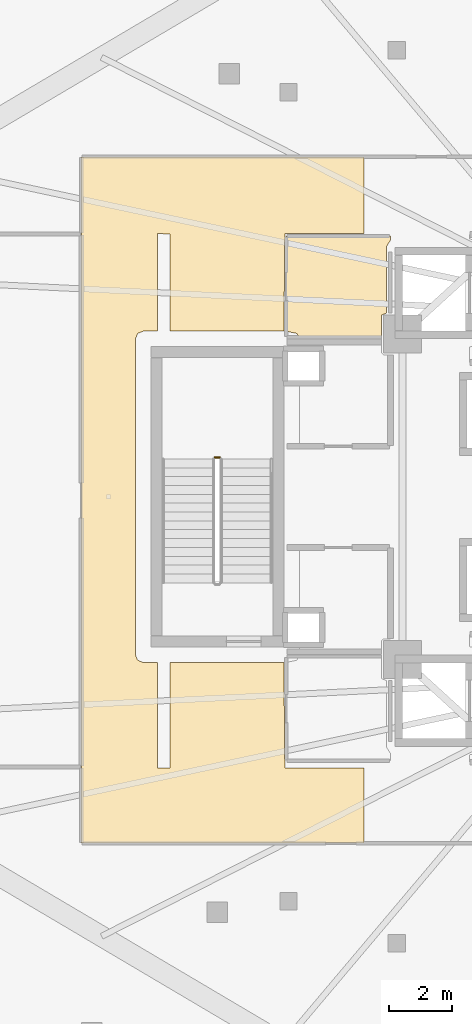
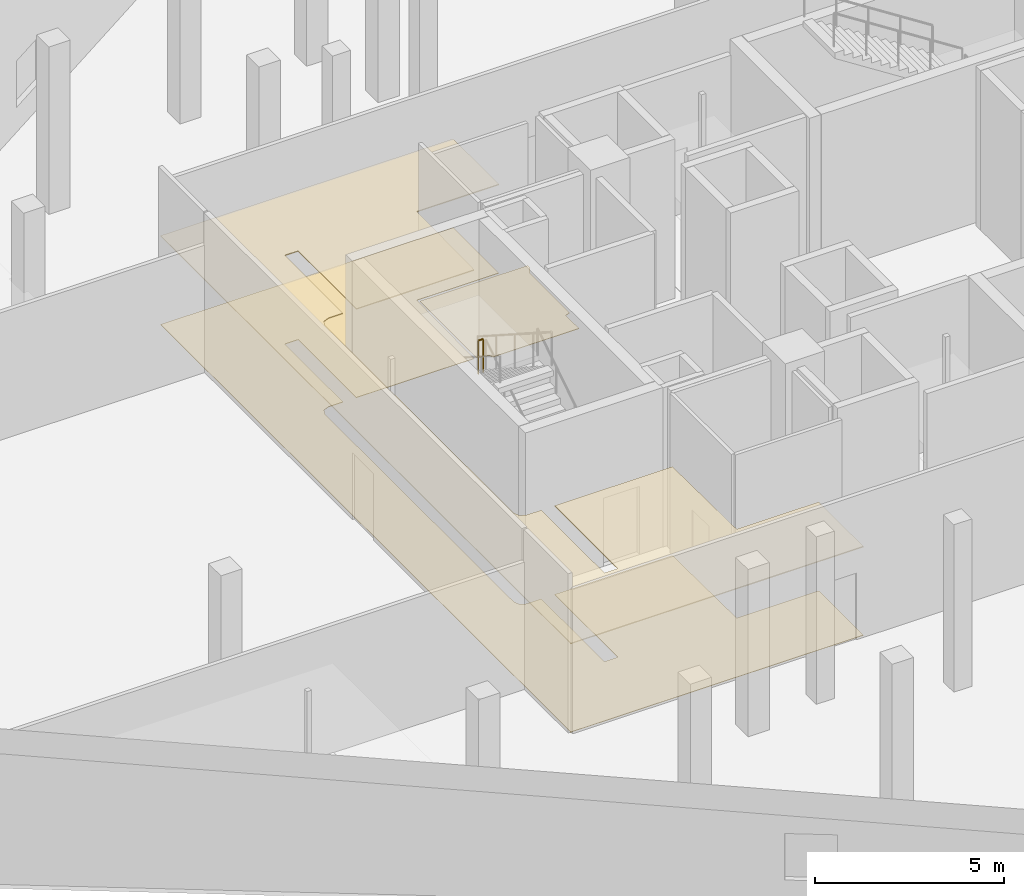
# One storey, part 42 of 47: 3 coverings, 1 railing.
"""IFC4 building model written with IfcOpenShell, lengths in metres."""

import ifcopenshell
import ifcopenshell.guid

model = None  # the IFC model being written
_history = None  # IfcOwnerHistory: only IFC2X3 demands one
_inside = {}  # id of a spatial element -> (the spatial element, [elements in it])
_under = {}  # id of a project, library or spatial element -> (it, [spatial elements below it])
_declared = {}  # id of a project -> (the project, [libraries it declares])
_typed = {}  # id of a type object -> (the type object, [elements of that type])
_made_of = {}  # id of a material, layer set ... -> (it, [elements and type objects made of it])


def new_model(schema):
    """Start an empty IFC model of exactly this schema.

    Asked for "IFC4X3", IfcOpenShell would pick the latest addendum, in which some entities
    have other attributes; the version numbers below select the first issue.
    IFC2X3 requires an IfcOwnerHistory on every rooted entity: one is made here for all.
    """
    global model, _history
    if schema == "IFC4X3":
        model = ifcopenshell.file(schema_version=(4, 3, 0, 0))
    else:
        model = ifcopenshell.file(schema=schema)
    _inside.clear()
    _under.clear()
    _declared.clear()
    _typed.clear()
    _made_of.clear()
    _history = None
    if model.schema == "IFC2X3":
        org = make("IfcOrganization", Name="unknown")
        user = make(
            "IfcPersonAndOrganization",
            ThePerson=make("IfcPerson", FamilyName="unknown"),
            TheOrganization=org,
        )
        app = make(
            "IfcApplication",
            ApplicationDeveloper=org,
            Version="unknown",
            ApplicationFullName="unknown",
            ApplicationIdentifier="unknown",
        )
        _history = make(
            "IfcOwnerHistory",
            OwningUser=user,
            OwningApplication=app,
            ChangeAction="ADDED",
            CreationDate=0,
        )
    return model


def make(cls, **values):
    """One entity of the class cls with the attributes given. An attribute that is None is left unset."""
    return model.create_entity(
        cls, **{name: value for name, value in values.items() if value is not None}
    )


def rooted(cls, **values):
    """An entity with a GlobalId (a new one), such as an element, a storey or a relation."""
    return make(cls, GlobalId=ifcopenshell.guid.new(), OwnerHistory=_history, **values)


def si_unit(unit_type, name, prefix=None):
    """IfcSIUnit, for example si_unit("LENGTHUNIT", "METRE", prefix="MILLI")."""
    return make("IfcSIUnit", UnitType=unit_type, Prefix=prefix, Name=name)


def assignment(units):
    """IfcUnitAssignment: the units of a project."""
    return None if units is None else make("IfcUnitAssignment", Units=units)


def point(xyz):
    """IfcCartesianPoint."""
    return None if xyz is None else make("IfcCartesianPoint", Coordinates=xyz)


def direction(xyz):
    """IfcDirection."""
    return None if xyz is None else make("IfcDirection", DirectionRatios=xyz)


def frame(location, z_axis=None, x_axis=None):
    """IfcAxis2Placement3D, a coordinate frame: its origin and axes. An axis left out is left unset."""
    return make(
        "IfcAxis2Placement3D",
        Location=point(location),
        Axis=direction(z_axis),
        RefDirection=direction(x_axis),
    )


def frame_2d(location, x_axis=None):
    """IfcAxis2Placement2D, a coordinate frame in the plane: its origin and x axis."""
    return make(
        "IfcAxis2Placement2D", Location=point(location), RefDirection=direction(x_axis)
    )


def origin():
    """The frame at (0, 0, 0) with its axes left unset."""
    return frame((0.0, 0.0, 0.0))


def origin_2d():
    """The frame at (0, 0) in the plane with its x axis left unset."""
    return frame_2d((0.0, 0.0))


def place(relative_to, where):
    """IfcLocalPlacement: puts the frame where relative to a parent placement (None: the world)."""
    return make(
        "IfcLocalPlacement", PlacementRelTo=relative_to, RelativePlacement=where
    )


def context(
    kind, dimensions, precision=None, world=None, true_north=None, identifier=None
):
    """IfcGeometricRepresentationContext, for example the 3D "Model" context."""
    return make(
        "IfcGeometricRepresentationContext",
        ContextIdentifier=identifier,
        ContextType=kind,
        CoordinateSpaceDimension=dimensions,
        Precision=precision,
        WorldCoordinateSystem=world,
        TrueNorth=true_north,
    )


def subcontext(parent, identifier, kind, view, scale=None):
    """IfcGeometricRepresentationSubContext, for example "Body" below "Model"."""
    return make(
        "IfcGeometricRepresentationSubContext",
        ContextIdentifier=identifier,
        ContextType=kind,
        ParentContext=parent,
        TargetScale=scale,
        TargetView=view,
    )


def project(units=None, contexts=None):
    """IfcProject with its units and contexts."""
    return rooted(
        "IfcProject",
        Name="project",
        RepresentationContexts=contexts,
        UnitsInContext=assignment(units),
    )


def spatial(cls, under=None, at=None, **own):
    """A site, building, storey or space (cls), placed at a placement, below another one or the project."""
    s = rooted(cls, ObjectPlacement=at, **own)
    if under is not None:
        _under.setdefault(under.id(), (under, []))[1].append(s)
    return s


def polyline(points):
    """IfcPolyline through the points."""
    return make("IfcPolyline", Points=[point(p) for p in points])


def profile(cls, at=None, kind="AREA", **sizes):
    """A parametric profile (cls). Its sizes go by their IFC names, for example OverallWidth=200.0."""
    return make(cls, ProfileType=kind, Position=at, **sizes)


def circle(**sizes):
    """IfcCircleProfileDef."""
    return profile("IfcCircleProfileDef", **sizes)


def outline(outer, holes=None, kind="AREA"):
    """IfcArbitraryClosedProfileDef: a profile drawn as a closed curve; with holes, ...WithVoids."""
    if holes is None:
        return make("IfcArbitraryClosedProfileDef", ProfileType=kind, OuterCurve=outer)
    return make(
        "IfcArbitraryProfileDefWithVoids",
        ProfileType=kind,
        OuterCurve=outer,
        InnerCurves=holes,
    )


def extrude(swept, where, along, depth):
    """IfcExtrudedAreaSolid: the profile swept, set in the frame where, extruded along a direction by depth."""
    return make(
        "IfcExtrudedAreaSolid",
        SweptArea=swept,
        Position=where,
        ExtrudedDirection=direction(along),
        Depth=depth,
    )


def shape(context_of_items, identifier, shape_type, items):
    """IfcShapeRepresentation: the items that make up one representation, for example the "Body"."""
    return make(
        "IfcShapeRepresentation",
        ContextOfItems=context_of_items,
        RepresentationIdentifier=identifier,
        RepresentationType=shape_type,
        Items=items,
    )


def material(Name=None, Category=None):
    """IfcMaterial."""
    return make("IfcMaterial", Name=Name, Category=Category)


def layer(
    of_material, thickness, ventilated=None, Name=None, Category=None, Priority=None
):
    """IfcMaterialLayer: one layer of a wall or slab, of a material (None: an air gap)."""
    return make(
        "IfcMaterialLayer",
        Material=of_material,
        LayerThickness=thickness,
        IsVentilated=ventilated,
        Name=Name,
        Category=Category,
        Priority=Priority,
    )


def layer_set(layers, Name=None):
    """IfcMaterialLayerSet."""
    return make("IfcMaterialLayerSet", MaterialLayers=layers, LayerSetName=Name)


def made_of(thing, what):
    """Note that an element or type object is made of a material, layer set ...; save() writes the relation."""
    if what is not None:
        _made_of.setdefault(what.id(), (what, []))[1].append(thing)
    return thing


def type_object(cls, material=None, **own):
    """A type object (cls), such as IfcWallType, which elements share."""
    return made_of(rooted(cls, **own), material)


def element(
    cls,
    number,
    at=None,
    inside=None,
    cuts=None,
    type_object=None,
    material=None,
    context=None,
    identifier="Body",
    shape_type=None,
    held_by="IfcProductDefinitionShape",
    body=None,
    shapes=None,
    **own,
):
    """One element of the class cls, such as IfcWall. Its Tag is "e" and its number.

    at: its placement. inside: the storey or other place that contains it. cuts: it is an
    opening in that element (IfcRelVoidsElement). A single representation is given by context,
    identifier, shape_type and body (its items); several are given by shapes. held_by: the class
    of the entity that holds the representations. save() writes the other relations.
    """
    e = rooted(cls, Tag="e%d" % number, ObjectPlacement=at, **own)
    if body is not None:
        shapes = [shape(context, identifier, shape_type, body)]
    if shapes is not None:
        e.Representation = make(held_by, Representations=shapes)
    if inside is not None:
        _inside.setdefault(inside.id(), (inside, []))[1].append(e)
    if cuts is not None:
        rooted(
            "IfcRelVoidsElement", RelatingBuildingElement=cuts, RelatedOpeningElement=e
        )
    if type_object is not None:
        _typed.setdefault(type_object.id(), (type_object, []))[1].append(e)
    return made_of(e, material)


def aggregate(whole, parts):
    """IfcRelAggregates: a whole, such as a stair, and the parts it consists of."""
    return rooted("IfcRelAggregates", RelatingObject=whole, RelatedObjects=parts)


def save(model, path):
    """Write the relations noted so far, then the file.

    IfcRelAggregates (storeys below a building ...), IfcRelContainedInSpatialStructure (elements
    in a storey), IfcRelDefinesByType, IfcRelAssociatesMaterial and IfcRelDeclares: one each for
    every whole, place, type object, material and project.
    """
    for whole, parts in _under.values():
        aggregate(whole, parts)
    for where, things in _inside.values():
        rooted(
            "IfcRelContainedInSpatialStructure",
            RelatedElements=things,
            RelatingStructure=where,
        )
    for kind, things in _typed.values():
        rooted("IfcRelDefinesByType", RelatedObjects=things, RelatingType=kind)
    for what, things in _made_of.values():
        rooted("IfcRelAssociatesMaterial", RelatedObjects=things, RelatingMaterial=what)
    for by, libraries in _declared.values():
        rooted("IfcRelDeclares", RelatingContext=by, RelatedDefinitions=libraries)
    model.write(path)


model = new_model("IFC4")

# Units and contexts
model_context = context("Model", 3, precision=1e-05, world=origin(), true_north=direction((0.0, 1.0)))
body_context = subcontext(model_context, "Body", "Model", "MODEL_VIEW")
ifc_project = project(units=[si_unit("LENGTHUNIT", "METRE"), si_unit("AREAUNIT", "SQUARE_METRE"), si_unit("VOLUMEUNIT", "CUBIC_METRE"), si_unit("PLANEANGLEUNIT", "RADIAN"), si_unit("MASSUNIT", "GRAM", prefix="KILO")], contexts=[model_context])

# Site, building, storey
site_placement = place(None, origin())
site = spatial("IfcSite", under=ifc_project, at=site_placement, CompositionType="ELEMENT")
building_placement = place(site_placement, origin())
building = spatial("IfcBuilding", under=site, at=building_placement, Name="Qorvath Tower", CompositionType="ELEMENT")
storey_placement = place(building_placement, frame((0.0, 0.0, 6.60009765625)))
storey = spatial("IfcBuildingStorey", under=building, at=storey_placement, Name="L01", CompositionType="ELEMENT", Elevation=6.60009765625)

# Coverings
ifc_material_1 = material(Name="Acoustic mineral fibre ceiling tile", Category="gypsum")
ifc_layer_1 = layer(ifc_material_1, 0.030029296875)
ifc_layer_set_1 = layer_set([ifc_layer_1], Name="COV-CEIL")
covering_type_1 = type_object("IfcCoveringType", Name="COV-CEIL", PredefinedType="CEILING", material=ifc_layer_set_1)
covering_1_placement = place(storey_placement, frame((0.0, 0.0, 2.849853515625)))
element("IfcCovering", 1, at=covering_1_placement, inside=storey, type_object=covering_type_1, Name="L01 Suspended Acoustic Ceiling 007", PredefinedType="CEILING", context=body_context, shape_type="SweptSolid", body=[
    extrude(outline(polyline([(-31.715087890625, -10.945068359375), (-31.715087890625, -8.58203125), (-34.219970703125, -8.5849609375), (-34.251220703125, -5.239990234375), (-37.844970703125, -5.239990234375), (-37.844970703125, -8.580078125), (-38.2548828125, -8.580078125), (-38.2548828125, -5.239990234375), (-38.699951171875, -5.239990234375), (-38.876708984375, -5.166748046875), (-38.949951171875, -4.989990234375), (-38.949951171875, 4.989990234375), (-38.876708984375, 5.166748046875), (-38.699951171875, 5.239990234375), (-38.2548828125, 5.239990234375), (-38.25341796875, 8.323486328125), (-37.844970703125, 8.320068359375), (-37.844970703125, 5.239990234375), (-34.2509765625, 5.239990234375), (-34.219970703125, 8.324951171875), (-31.715087890625, 8.324951171875), (-31.715087890625, 10.7451171875), (-40.64501953125, 10.7451171875), (-40.64501953125, -10.945068359375), (-31.715087890625, -10.945068359375)])), origin(), (0.0, 0.0, 1.0), 0.030029296875),
])
ifc_material_2 = material(Name="Polished epoxy terrazzo flooring", Category="concrete")
ifc_layer_2 = layer(ifc_material_2, 0.02001953125)
ifc_layer_set_2 = layer_set([ifc_layer_2], Name="COV-FLOOR-TRZ")
covering_type_2 = type_object("IfcCoveringType", Name="COV-FLOOR-TRZ", PredefinedType="FLOORING", material=ifc_layer_set_2)
covering_2_placement = place(storey_placement, origin())
element("IfcCovering", 2, at=covering_2_placement, inside=storey, type_object=covering_type_2, Name="L01 Floor Finish 003", PredefinedType="FLOORING", context=body_context, shape_type="SweptSolid", body=[
    extrude(outline(polyline([(-31.010009765625, 7.909912109375), (-30.885009765625, 8.108154296875), (-30.885009765625, 8.2451171875), (-34.175048828125, 8.2451171875), (-34.175048828125, 5.239990234375), (-33.833251953125, 5.166748046875), (-33.786865234375, 5.054931640625), (-31.159912109375, 5.054931640625), (-31.159912109375, 5.75), (-31.010009765625, 5.81005859375), (-31.010009765625, 7.909912109375)])), origin(), (0.0, 0.0, 1.0), 0.014892578125),
])
covering_3_placement = place(storey_placement, origin())
element("IfcCovering", 3, at=covering_3_placement, inside=storey, type_object=covering_type_2, Name="L01 Floor Finish 007", PredefinedType="FLOORING", context=body_context, shape_type="SweptSolid", body=[
    extrude(outline(polyline([(-31.715087890625, -10.945068359375), (-31.715087890625, -8.58203125), (-34.219970703125, -8.5849609375), (-34.251220703125, -5.239990234375), (-37.844970703125, -5.239990234375), (-37.844970703125, -8.580078125), (-38.2548828125, -8.580078125), (-38.2548828125, -5.239990234375), (-38.699951171875, -5.239990234375), (-38.876708984375, -5.166748046875), (-38.949951171875, -4.989990234375), (-38.949951171875, 4.989990234375), (-38.876708984375, 5.166748046875), (-38.699951171875, 5.239990234375), (-38.2548828125, 5.239990234375), (-38.25341796875, 8.323486328125), (-37.844970703125, 8.320068359375), (-37.844970703125, 5.239990234375), (-34.2509765625, 5.239990234375), (-34.219970703125, 8.324951171875), (-31.715087890625, 8.324951171875), (-31.715087890625, 10.7451171875), (-40.64501953125, 10.7451171875), (-40.64501953125, -10.945068359375), (-31.715087890625, -10.945068359375)])), origin(), (0.0, 0.0, 1.0), 0.014892578125),
])

# Railing
ifc_material_3 = material(Name="Painted galvanised steel", Category="steel")
railing_type = type_object("IfcRailingType", Name="RL-STR-GRD", PredefinedType="GUARDRAIL", material=ifc_material_3)
railing_placement = place(storey_placement, frame((-36.280029296875, 1.25, 2.699951171875)))
element("IfcRailing", 4, at=railing_placement, inside=storey, type_object=railing_type, Name="L01 TS3 stair guard 2", PredefinedType="GUARDRAIL", context=body_context, shape_type="SweptSolid", body=[
    extrude(circle(Radius=0.02392578125, at=origin_2d()), frame((0.0, 0.0, 1.076171875), z_axis=(-1.0, 0.0, 0.0), x_axis=(0.0, -1.0, 0.0)), (0.0, 0.0, 1.0), 0.14990234375),
    extrude(circle(Radius=0.02099609375, at=origin_2d()), origin(), (0.0, 0.0, 1.0), 1.052001953125),
    extrude(circle(Radius=0.02099609375, at=origin_2d()), frame((-0.14990234375, 0.0, 0.0)), (0.0, 0.0, 1.0), 1.052001953125),
])

save(model, "model.ifc")
